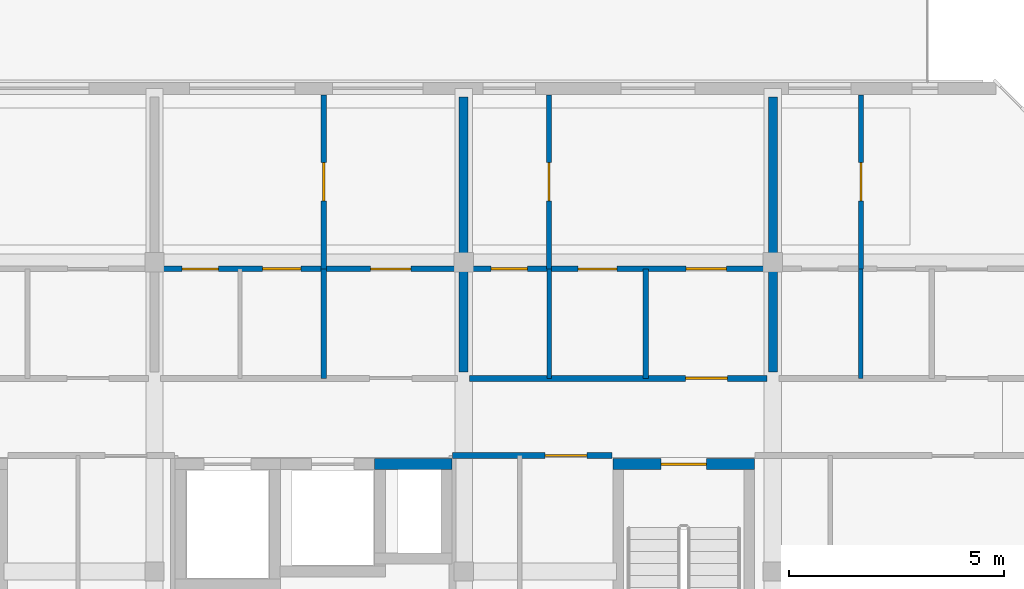
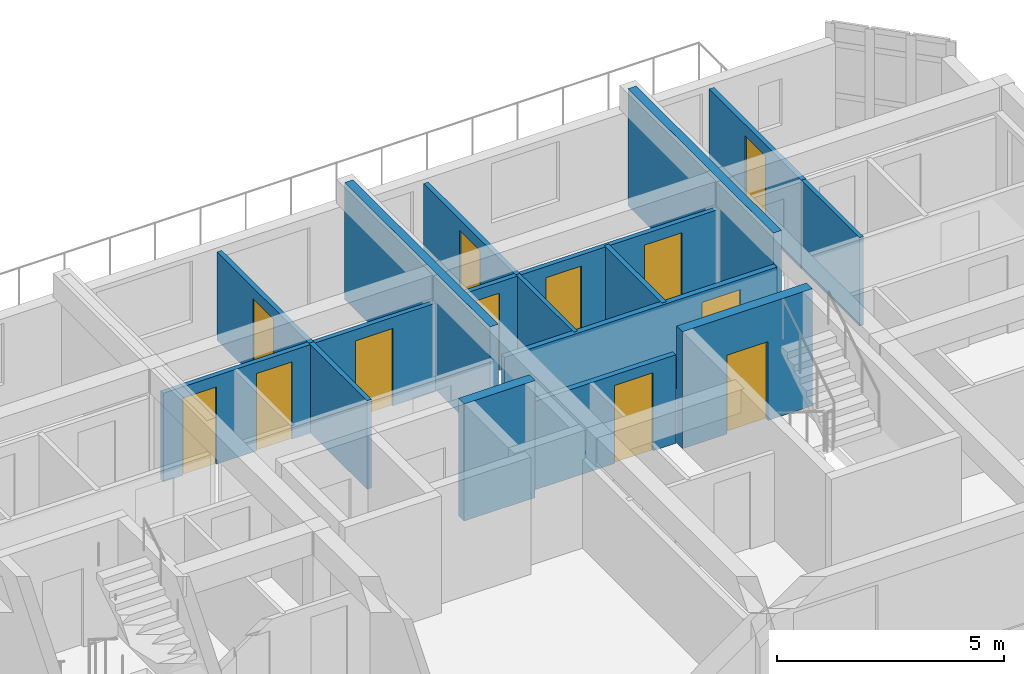
# One storey, part 12 of 16: 15 walls, 12 doors, 12 openings.
"""IFC4 building model written with IfcOpenShell, lengths in metres."""

from ifc_helpers import new_model, si_unit, direction, frame, frame_2d, origin, place, context, subcontext, project, spatial, rectangle, extrude, material, layer, layer_set, type_object, element, fill, save


model = new_model("IFC4")

# Units and contexts
model_context = context("Model", 3, precision=1e-05, world=origin(), true_north=direction((0.0, 1.0)))
body_context = subcontext(model_context, "Body", "Model", "MODEL_VIEW")
ifc_project = project(units=[si_unit("LENGTHUNIT", "METRE"), si_unit("AREAUNIT", "SQUARE_METRE"), si_unit("VOLUMEUNIT", "CUBIC_METRE"), si_unit("PLANEANGLEUNIT", "RADIAN"), si_unit("MASSUNIT", "GRAM", prefix="KILO")], contexts=[model_context])

# Site, building, storey
site_placement = place(None, origin())
site = spatial("IfcSite", under=ifc_project, at=site_placement, CompositionType="ELEMENT")
building_placement = place(site_placement, origin())
building = spatial("IfcBuilding", under=site, at=building_placement, Name="Ochrevale Crest", CompositionType="ELEMENT")
storey_placement = place(building_placement, frame((0.0, 0.0, 46.5)))
storey = spatial("IfcBuildingStorey", under=building, at=storey_placement, Name="L14", CompositionType="ELEMENT", Elevation=46.5)

# Wall, opening, door
ifc_material_1 = material(Name="Gypsum plasterboard", Category="gypsum")
ifc_layer_1 = layer(ifc_material_1, 0.139892578125)
ifc_layer_set_1 = layer_set([ifc_layer_1], Name="Gypsum plasterboard")
wall_type_1 = type_object("IfcWallType", Name="WL-COR-140", PredefinedType="PARTITIONING", material=ifc_layer_set_1)
wall_1_placement = place(storey_placement, frame((151.340087890625, 83.699951171875, 0.0), z_axis=(0.0, 0.0, 1.0), x_axis=(1.0, 0.0, 0.0)))
wall_1 = element("IfcWall", 1, at=wall_1_placement, inside=storey, type_object=wall_type_1, Name="Apartment D-L14-U4 corridor wall", PredefinedType="PARTITIONING", context=body_context, shape_type="SweptSolid", body=[
    extrude(rectangle(XDim=6.919921875, YDim=0.139892578125, at=frame_2d((3.4599609375, 0.0))), origin(), (0.0, 0.0, 1.0), 2.3798828125),
])
opening_1_placement = place(wall_1_placement, frame((5.02001953125, 0.0, 0.0)))
opening_1 = element("IfcOpeningElement", 2, at=opening_1_placement, cuts=wall_1, Name="Opening FD01", PredefinedType="OPENING", context=body_context, shape_type="SweptSolid", body=[
    extrude(rectangle(XDim=0.97998046875, YDim=2.10009765625, at=frame_2d((0.489990234375, 1.050048828125))), frame((0.0, 0.080078125, 0.0), z_axis=(0.0, -1.0, 0.0), x_axis=(1.0, 0.0, 0.0)), (0.0, 0.0, 1.0), 0.159912109375),
])
ifc_material_2 = material(Name="Solid-core FSC hardwood", Category="wood")
door_type_1 = type_object("IfcDoorType", Name="DR-APT-950", OperationType="NOTDEFINED", PredefinedType="DOOR", material=ifc_material_2)
door_1_placement = place(opening_1_placement, origin())
door_1 = element("IfcDoor", 3, at=door_1_placement, inside=storey, type_object=door_type_1, Name="Apartment D-L14-U4 entrance door", OperationType="SINGLE_SWING_LEFT", OverallHeight=2.10009765625, OverallWidth=0.97998046875, PredefinedType="DOOR", context=body_context, shape_type="SweptSolid", body=[
    extrude(rectangle(XDim=0.97998046875, YDim=2.10009765625, at=frame_2d((0.489990234375, 1.050048828125))), frame((0.0, 0.02490234375, 0.0), z_axis=(0.0, -1.0, 0.0), x_axis=(1.0, 0.0, 0.0)), (0.0, 0.0, 1.0), 0.050048828125),
])
fill(opening_1, door_1)

wall_2_placement = place(storey_placement, frame((150.93994140625, 81.89990234375, 0.0), z_axis=(0.0, 0.0, 1.0), x_axis=(1.0, 0.0, 0.0)))
wall_2 = element("IfcWall", 4, at=wall_2_placement, inside=storey, type_object=wall_type_1, Name="Suite D-L14-ME corridor wall", PredefinedType="PARTITIONING", context=body_context, shape_type="SweptSolid", body=[
    extrude(rectangle(XDim=3.719970703125, YDim=0.139892578125, at=frame_2d((1.85986328125, 0.0))), origin(), (0.0, 0.0, 1.0), 2.3798828125),
])
opening_2_placement = place(wall_2_placement, frame((2.151123046875, 0.0, 0.0)))
opening_2 = element("IfcOpeningElement", 5, at=opening_2_placement, cuts=wall_2, Name="Opening FD01", PredefinedType="OPENING", context=body_context, shape_type="SweptSolid", body=[
    extrude(rectangle(XDim=0.97998046875, YDim=2.10009765625, at=frame_2d((0.489990234375, 1.050048828125))), frame((0.0, 0.080078125, 0.0), z_axis=(0.0, -1.0, 0.0), x_axis=(1.0, 0.0, 0.0)), (0.0, 0.0, 1.0), 0.159912109375),
])
door_2_placement = place(opening_2_placement, origin())
door_2 = element("IfcDoor", 6, at=door_2_placement, inside=storey, type_object=door_type_1, Name="Suite D-L14-ME entrance door", OperationType="SINGLE_SWING_LEFT", OverallHeight=2.10009765625, OverallWidth=0.97998046875, PredefinedType="DOOR", context=body_context, shape_type="SweptSolid", body=[
    extrude(rectangle(XDim=0.97998046875, YDim=2.10009765625, at=frame_2d((0.489990234375, 1.050048828125))), frame((0.0, 0.02490234375, 0.0), z_axis=(0.0, -1.0, 0.0), x_axis=(1.0, 0.0, 0.0)), (0.0, 0.0, 1.0), 0.050048828125),
])
fill(opening_2, door_2)

ifc_material_3 = material(Name="Precast concrete C50/60", Category="concrete")
ifc_layer_2 = layer(ifc_material_3, 0.2548828125)
ifc_layer_set_2 = layer_set([ifc_layer_2], Name="Precast concrete C50/60")
wall_type_2 = type_object("IfcWallType", Name="WL-CORE-255", PredefinedType="SHEAR", material=ifc_layer_set_2)
wall_3_placement = place(storey_placement, frame((154.672607421875, 81.699951171875, 0.0), z_axis=(0.0, 0.0, 1.0), x_axis=(1.0, 0.0, 0.0)))
wall_3 = element("IfcWall", 7, at=wall_3_placement, inside=storey, type_object=wall_type_2, Name="Block D L14 Stair 2 precast core shear wall N", PredefinedType="SHEAR", context=body_context, shape_type="SweptSolid", body=[
    extrude(rectangle(XDim=3.304931640625, YDim=0.2548828125, at=frame_2d((1.65234375, 0.0))), origin(), (0.0, 0.0, 1.0), 3.14990234375),
])
opening_3_placement = place(wall_3_placement, frame((1.12744140625, 0.0, 0.0)))
opening_3 = element("IfcOpeningElement", 8, at=opening_3_placement, cuts=wall_3, Name="Opening FD03", PredefinedType="OPENING", context=body_context, shape_type="SweptSolid", body=[
    extrude(rectangle(XDim=1.050048828125, YDim=2.1201171875, at=frame_2d((0.52490234375, 1.06005859375))), frame((0.0, 0.137451171875, 0.0), z_axis=(0.0, -1.0, 0.0), x_axis=(1.0, 0.0, 0.0)), (0.0, 0.0, 1.0), 0.27490234375),
])
door_type_2 = type_object("IfcDoorType", Name="DR-ST-1050", OperationType="NOTDEFINED", PredefinedType="DOOR", material=ifc_material_2)
door_3_placement = place(opening_3_placement, origin())
door_3 = element("IfcDoor", 9, at=door_3_placement, inside=storey, type_object=door_type_2, Name="Block D L14 fire stair 2 door", OperationType="SINGLE_SWING_LEFT", OverallHeight=2.1201171875, OverallWidth=1.050048828125, PredefinedType="DOOR", context=body_context, shape_type="SweptSolid", body=[
    extrude(rectangle(XDim=1.050048828125, YDim=2.1201171875, at=frame_2d((0.52490234375, 1.06005859375))), frame((0.0, 0.02490234375, 0.0), z_axis=(0.0, -1.0, 0.0), x_axis=(1.0, 0.0, 0.0)), (0.0, 0.0, 1.0), 0.050048828125),
])
fill(opening_3, door_3)

# Walls
wall_4_placement = place(storey_placement, frame((149.12255859375, 81.699951171875, 0.0), z_axis=(0.0, 0.0, 1.0), x_axis=(1.0, 0.0, 0.0)))
element("IfcWall", 10, at=wall_4_placement, inside=storey, type_object=wall_type_2, Name="Block D L14 services riser shaft core wall N", PredefinedType="SHEAR", context=body_context, shape_type="SweptSolid", body=[
    extrude(rectangle(XDim=1.804931640625, YDim=0.2548828125, at=frame_2d((0.90234375, 0.0))), origin(), (0.0, 0.0, 1.0), 3.14990234375),
])
ifc_layer_3 = layer(ifc_material_1, 0.1201171875)
ifc_layer_set_3 = layer_set([ifc_layer_3], Name="Gypsum plasterboard")
wall_type_3 = type_object("IfcWallType", Name="WL-PART-120", PredefinedType="PARTITIONING", material=ifc_layer_set_3)
wall_5_placement = place(storey_placement, frame((147.93994140625, 83.699951171875, 0.0), z_axis=(0.0, 0.0, 1.0), x_axis=(0.0, 1.0, 0.0)))
element("IfcWall", 11, at=wall_5_placement, inside=storey, type_object=wall_type_3, Name="Apartment D-L14-U3 kitchen-foyer wall", PredefinedType="PARTITIONING", context=body_context, shape_type="SweptSolid", body=[
    extrude(rectangle(XDim=2.550048828125, YDim=0.1201171875, at=frame_2d((1.27490234375, 0.0))), origin(), (0.0, 0.0, 1.0), 2.3798828125),
])

# Wall, openings, doors
wall_6_placement = place(storey_placement, frame((144.139892578125, 86.25, 0.0), z_axis=(0.0, 0.0, 1.0), x_axis=(1.0, 0.0, 0.0)))
wall_6 = element("IfcWall", 12, at=wall_6_placement, inside=storey, type_object=wall_type_3, Name="Apartment D-L14-U3 central partition", PredefinedType="PARTITIONING", context=body_context, shape_type="SweptSolid", body=[
    extrude(rectangle(XDim=6.920166015625, YDim=0.1201171875, at=frame_2d((3.4599609375, 0.0))), origin(), (0.0, 0.0, 1.0), 2.3798828125),
])
opening_4_placement = place(wall_6_placement, frame((0.5, 0.0, 0.0)))
opening_4 = element("IfcOpeningElement", 13, at=opening_4_placement, cuts=wall_6, Name="Opening ID01", PredefinedType="OPENING", context=body_context, shape_type="SweptSolid", body=[
    extrude(rectangle(XDim=0.85009765625, YDim=2.080078125, at=frame_2d((0.425048828125, 1.0400390625))), frame((0.0, 0.070068359375, 0.0), z_axis=(0.0, -1.0, 0.0), x_axis=(1.0, 0.0, 0.0)), (0.0, 0.0, 1.0), 0.14013671875),
])
opening_5_placement = place(wall_6_placement, frame((3.27490234375, 0.0, 0.0), z_axis=(0.0, 0.0, 1.0), x_axis=(-1.0, 0.0, 0.0)))
opening_5 = element("IfcOpeningElement", 14, at=opening_5_placement, cuts=wall_6, Name="Opening ID02", PredefinedType="OPENING", context=body_context, shape_type="SweptSolid", body=[
    extrude(rectangle(XDim=0.89990234375, YDim=2.080078125, at=frame_2d((0.449951171875, 1.0400390625))), frame((0.0, 0.070068359375, 0.0), z_axis=(0.0, -1.0, 0.0), x_axis=(1.0, 0.0, 0.0)), (0.0, 0.0, 1.0), 0.14013671875),
])
opening_6_placement = place(wall_6_placement, frame((4.885009765625, 0.0, 0.0)))
opening_6 = element("IfcOpeningElement", 15, at=opening_6_placement, cuts=wall_6, Name="Opening ID06", PredefinedType="OPENING", context=body_context, shape_type="SweptSolid", body=[
    extrude(rectangle(XDim=0.949951171875, YDim=2.080078125, at=frame_2d((0.47509765625, 1.0400390625))), frame((0.0, 0.070068359375, 0.0), z_axis=(0.0, -1.0, 0.0), x_axis=(1.0, 0.0, 0.0)), (0.0, 0.0, 1.0), 0.14013671875),
])
door_type_3 = type_object("IfcDoorType", Name="DR-INT-900", OperationType="NOTDEFINED", PredefinedType="DOOR", material=ifc_material_2)
door_4_placement = place(opening_5_placement, origin())
door_4 = element("IfcDoor", 16, at=door_4_placement, inside=storey, type_object=door_type_3, Name="Apartment D-L14-U3 Kitchen door", OperationType="SINGLE_SWING_RIGHT", OverallHeight=2.080078125, OverallWidth=0.89990234375, PredefinedType="DOOR", context=body_context, shape_type="SweptSolid", body=[
    extrude(rectangle(XDim=0.89990234375, YDim=2.080078125, at=frame_2d((0.449951171875, 1.0400390625))), frame((0.0, 0.02490234375, 0.0), z_axis=(0.0, -1.0, 0.0), x_axis=(1.0, 0.0, 0.0)), (0.0, 0.0, 1.0), 0.050048828125),
])
fill(opening_5, door_4)
door_type_4 = type_object("IfcDoorType", Name="DR-INT-950", OperationType="NOTDEFINED", PredefinedType="DOOR", material=ifc_material_2)
door_5_placement = place(opening_6_placement, origin())
door_5 = element("IfcDoor", 17, at=door_5_placement, inside=storey, type_object=door_type_4, Name="Apartment D-L14-U3 Living Foyer door", OperationType="SINGLE_SWING_LEFT", OverallHeight=2.080078125, OverallWidth=0.949951171875, PredefinedType="DOOR", context=body_context, shape_type="SweptSolid", body=[
    extrude(rectangle(XDim=0.949951171875, YDim=2.080078125, at=frame_2d((0.47509765625, 1.0400390625))), frame((0.0, 0.02490234375, 0.0), z_axis=(0.0, -1.0, 0.0), x_axis=(1.0, 0.0, 0.0)), (0.0, 0.0, 1.0), 0.050048828125),
])
fill(opening_6, door_5)
door_type_5 = type_object("IfcDoorType", Name="DR-WC-850", OperationType="NOTDEFINED", PredefinedType="DOOR", material=ifc_material_2)
door_6_placement = place(opening_4_placement, origin())
door_6 = element("IfcDoor", 18, at=door_6_placement, inside=storey, type_object=door_type_5, Name="Apartment D-L14-U3 Bathroom door", OperationType="SINGLE_SWING_LEFT", OverallHeight=2.080078125, OverallWidth=0.85009765625, PredefinedType="DOOR", context=body_context, shape_type="SweptSolid", body=[
    extrude(rectangle(XDim=0.85009765625, YDim=2.080078125, at=frame_2d((0.425048828125, 1.0400390625))), frame((0.0, 0.02490234375, 0.0), z_axis=(0.0, -1.0, 0.0), x_axis=(1.0, 0.0, 0.0)), (0.0, 0.0, 1.0), 0.050048828125),
])
fill(opening_4, door_6)

# Wall, opening, door
wall_7_placement = place(storey_placement, frame((147.93994140625, 86.25, 0.0), z_axis=(0.0, 0.0, 1.0), x_axis=(0.0, 1.0, 0.0)))
wall_7 = element("IfcWall", 19, at=wall_7_placement, inside=storey, type_object=wall_type_3, Name="Apartment D-L14-U3 bedroom partition", PredefinedType="PARTITIONING", context=body_context, shape_type="SweptSolid", body=[
    extrude(rectangle(XDim=4.050048828125, YDim=0.1201171875, at=frame_2d((2.02490234375, 0.0))), origin(), (0.0, 0.0, 1.0), 2.3798828125),
])
opening_7_placement = place(wall_7_placement, frame((2.474853515625, 0.0, 0.0), z_axis=(0.0, 0.0, 1.0), x_axis=(-1.0, 0.0, 0.0)))
opening_7 = element("IfcOpeningElement", 20, at=opening_7_placement, cuts=wall_7, Name="Opening ID02", PredefinedType="OPENING", context=body_context, shape_type="SweptSolid", body=[
    extrude(rectangle(XDim=0.89990234375, YDim=2.080078125, at=frame_2d((0.449951171875, 1.0400390625))), frame((0.0, 0.070068359375, 0.0), z_axis=(0.0, -1.0, 0.0), x_axis=(1.0, 0.0, 0.0)), (0.0, 0.0, 1.0), 0.14013671875),
])
door_7_placement = place(opening_7_placement, origin())
door_7 = element("IfcDoor", 21, at=door_7_placement, inside=storey, type_object=door_type_3, Name="Apartment D-L14-U3 Double Bedroom door", OperationType="SINGLE_SWING_RIGHT", OverallHeight=2.080078125, OverallWidth=0.89990234375, PredefinedType="DOOR", context=body_context, shape_type="SweptSolid", body=[
    extrude(rectangle(XDim=0.89990234375, YDim=2.080078125, at=frame_2d((0.449951171875, 1.0400390625))), frame((0.0, 0.02490234375, 0.0), z_axis=(0.0, -1.0, 0.0), x_axis=(1.0, 0.0, 0.0)), (0.0, 0.0, 1.0), 0.050048828125),
])
fill(opening_7, door_7)

# Wall
wall_8_placement = place(storey_placement, frame((155.43994140625, 83.699951171875, 0.0), z_axis=(0.0, 0.0, 1.0), x_axis=(0.0, 1.0, 0.0)))
element("IfcWall", 22, at=wall_8_placement, inside=storey, type_object=wall_type_3, Name="Apartment D-L14-U4 kitchen-foyer wall", PredefinedType="PARTITIONING", context=body_context, shape_type="SweptSolid", body=[
    extrude(rectangle(XDim=2.550048828125, YDim=0.1201171875, at=frame_2d((1.27490234375, 0.0))), origin(), (0.0, 0.0, 1.0), 2.3798828125),
])

# Wall, openings, doors
wall_9_placement = place(storey_placement, frame((151.340087890625, 86.25, 0.0), z_axis=(0.0, 0.0, 1.0), x_axis=(1.0, 0.0, 0.0)))
wall_9 = element("IfcWall", 23, at=wall_9_placement, inside=storey, type_object=wall_type_3, Name="Apartment D-L14-U4 central partition", PredefinedType="PARTITIONING", context=body_context, shape_type="SweptSolid", body=[
    extrude(rectangle(XDim=6.919921875, YDim=0.1201171875, at=frame_2d((3.4599609375, 0.0))), origin(), (0.0, 0.0, 1.0), 2.3798828125),
])
opening_8_placement = place(wall_9_placement, frame((1.35009765625, 0.0, 0.0), z_axis=(0.0, 0.0, 1.0), x_axis=(-1.0, 0.0, 0.0)))
opening_8 = element("IfcOpeningElement", 24, at=opening_8_placement, cuts=wall_9, Name="Opening ID01", PredefinedType="OPENING", context=body_context, shape_type="SweptSolid", body=[
    extrude(rectangle(XDim=0.85009765625, YDim=2.080078125, at=frame_2d((0.425048828125, 1.0400390625))), frame((0.0, 0.070068359375, 0.0), z_axis=(0.0, -1.0, 0.0), x_axis=(1.0, 0.0, 0.0)), (0.0, 0.0, 1.0), 0.14013671875),
])
opening_9_placement = place(wall_9_placement, frame((2.52490234375, 0.0, 0.0)))
opening_9 = element("IfcOpeningElement", 25, at=opening_9_placement, cuts=wall_9, Name="Opening ID02", PredefinedType="OPENING", context=body_context, shape_type="SweptSolid", body=[
    extrude(rectangle(XDim=0.89990234375, YDim=2.080078125, at=frame_2d((0.449951171875, 1.0400390625))), frame((0.0, 0.070068359375, 0.0), z_axis=(0.0, -1.0, 0.0), x_axis=(1.0, 0.0, 0.0)), (0.0, 0.0, 1.0), 0.14013671875),
])
opening_10_placement = place(wall_9_placement, frame((5.98486328125, 0.0, 0.0), z_axis=(0.0, 0.0, 1.0), x_axis=(-1.0, 0.0, 0.0)))
opening_10 = element("IfcOpeningElement", 26, at=opening_10_placement, cuts=wall_9, Name="Opening ID06", PredefinedType="OPENING", context=body_context, shape_type="SweptSolid", body=[
    extrude(rectangle(XDim=0.949951171875, YDim=2.080078125, at=frame_2d((0.47509765625, 1.0400390625))), frame((0.0, 0.070068359375, 0.0), z_axis=(0.0, -1.0, 0.0), x_axis=(1.0, 0.0, 0.0)), (0.0, 0.0, 1.0), 0.14013671875),
])
door_8_placement = place(opening_9_placement, origin())
door_8 = element("IfcDoor", 27, at=door_8_placement, inside=storey, type_object=door_type_3, Name="Apartment D-L14-U4 Kitchen door", OperationType="SINGLE_SWING_LEFT", OverallHeight=2.080078125, OverallWidth=0.89990234375, PredefinedType="DOOR", context=body_context, shape_type="SweptSolid", body=[
    extrude(rectangle(XDim=0.89990234375, YDim=2.080078125, at=frame_2d((0.449951171875, 1.0400390625))), frame((0.0, 0.02490234375, 0.0), z_axis=(0.0, -1.0, 0.0), x_axis=(1.0, 0.0, 0.0)), (0.0, 0.0, 1.0), 0.050048828125),
])
fill(opening_9, door_8)
door_9_placement = place(opening_10_placement, origin())
door_9 = element("IfcDoor", 28, at=door_9_placement, inside=storey, type_object=door_type_4, Name="Apartment D-L14-U4 Living Foyer door", OperationType="SINGLE_SWING_RIGHT", OverallHeight=2.080078125, OverallWidth=0.949951171875, PredefinedType="DOOR", context=body_context, shape_type="SweptSolid", body=[
    extrude(rectangle(XDim=0.949951171875, YDim=2.080078125, at=frame_2d((0.47509765625, 1.0400390625))), frame((0.0, 0.02490234375, 0.0), z_axis=(0.0, -1.0, 0.0), x_axis=(1.0, 0.0, 0.0)), (0.0, 0.0, 1.0), 0.050048828125),
])
fill(opening_10, door_9)
door_10_placement = place(opening_8_placement, origin())
door_10 = element("IfcDoor", 29, at=door_10_placement, inside=storey, type_object=door_type_5, Name="Apartment D-L14-U4 Bathroom door", OperationType="SINGLE_SWING_RIGHT", OverallHeight=2.080078125, OverallWidth=0.85009765625, PredefinedType="DOOR", context=body_context, shape_type="SweptSolid", body=[
    extrude(rectangle(XDim=0.85009765625, YDim=2.080078125, at=frame_2d((0.425048828125, 1.0400390625))), frame((0.0, 0.02490234375, 0.0), z_axis=(0.0, -1.0, 0.0), x_axis=(1.0, 0.0, 0.0)), (0.0, 0.0, 1.0), 0.050048828125),
])
fill(opening_8, door_10)

# Wall, opening, door
wall_10_placement = place(storey_placement, frame((153.18994140625, 86.25, 0.0), z_axis=(0.0, 0.0, 1.0), x_axis=(0.0, 1.0, 0.0)))
wall_10 = element("IfcWall", 30, at=wall_10_placement, inside=storey, type_object=wall_type_3, Name="Apartment D-L14-U4 bedroom partition", PredefinedType="PARTITIONING", context=body_context, shape_type="SweptSolid", body=[
    extrude(rectangle(XDim=4.050048828125, YDim=0.1201171875, at=frame_2d((2.02490234375, 0.0))), origin(), (0.0, 0.0, 1.0), 2.3798828125),
])
opening_11_placement = place(wall_10_placement, frame((1.574951171875, 0.0, 0.0)))
opening_11 = element("IfcOpeningElement", 31, at=opening_11_placement, cuts=wall_10, Name="Opening ID02", PredefinedType="OPENING", context=body_context, shape_type="SweptSolid", body=[
    extrude(rectangle(XDim=0.89990234375, YDim=2.080078125, at=frame_2d((0.449951171875, 1.0400390625))), frame((0.0, 0.070068359375, 0.0), z_axis=(0.0, -1.0, 0.0), x_axis=(1.0, 0.0, 0.0)), (0.0, 0.0, 1.0), 0.14013671875),
])
door_11_placement = place(opening_11_placement, origin())
door_11 = element("IfcDoor", 32, at=door_11_placement, inside=storey, type_object=door_type_3, Name="Apartment D-L14-U4 Master Bedroom door", OperationType="SINGLE_SWING_LEFT", OverallHeight=2.080078125, OverallWidth=0.89990234375, PredefinedType="DOOR", context=body_context, shape_type="SweptSolid", body=[
    extrude(rectangle(XDim=0.89990234375, YDim=2.080078125, at=frame_2d((0.449951171875, 1.0400390625))), frame((0.0, 0.02490234375, 0.0), z_axis=(0.0, -1.0, 0.0), x_axis=(1.0, 0.0, 0.0)), (0.0, 0.0, 1.0), 0.050048828125),
])
fill(opening_11, door_11)

wall_11_placement = place(storey_placement, frame((160.449951171875, 86.25, 0.0), z_axis=(0.0, 0.0, 1.0), x_axis=(0.0, 1.0, 0.0)))
wall_11 = element("IfcWall", 33, at=wall_11_placement, inside=storey, type_object=wall_type_3, Name="Apartment D-L14-U5 bedroom partition", PredefinedType="PARTITIONING", context=body_context, shape_type="SweptSolid", body=[
    extrude(rectangle(XDim=4.050048828125, YDim=0.1201171875, at=frame_2d((2.02490234375, 0.0))), origin(), (0.0, 0.0, 1.0), 2.3798828125),
])
opening_12_placement = place(wall_11_placement, frame((1.574951171875, 0.0, 0.0)))
opening_12 = element("IfcOpeningElement", 34, at=opening_12_placement, cuts=wall_11, Name="Opening ID02", PredefinedType="OPENING", context=body_context, shape_type="SweptSolid", body=[
    extrude(rectangle(XDim=0.89990234375, YDim=2.080078125, at=frame_2d((0.449951171875, 1.0400390625))), frame((0.0, 0.070068359375, 0.0), z_axis=(0.0, -1.0, 0.0), x_axis=(1.0, 0.0, 0.0)), (0.0, 0.0, 1.0), 0.14013671875),
])
door_12_placement = place(opening_12_placement, origin())
door_12 = element("IfcDoor", 35, at=door_12_placement, inside=storey, type_object=door_type_3, Name="Apartment D-L14-U5 Master Bedroom door", OperationType="SINGLE_SWING_RIGHT", OverallHeight=2.080078125, OverallWidth=0.89990234375, PredefinedType="DOOR", context=body_context, shape_type="SweptSolid", body=[
    extrude(rectangle(XDim=0.89990234375, YDim=2.080078125, at=frame_2d((0.449951171875, 1.0400390625))), frame((0.0, 0.02490234375, 0.0), z_axis=(0.0, -1.0, 0.0), x_axis=(1.0, 0.0, 0.0)), (0.0, 0.0, 1.0), 0.050048828125),
])
fill(opening_12, door_12)

# Walls
ifc_material_4 = material(Name="Precast concrete C40/50", Category="concrete")
ifc_layer_4 = layer(ifc_material_4, 0.2099609375)
ifc_layer_set_4 = layer_set([ifc_layer_4], Name="Precast concrete C40/50")
wall_type_4 = type_object("IfcWallType", Name="WL-SHEAR-210", PredefinedType="SHEAR", material=ifc_layer_set_4)
for number, where, z_axis, x_axis, name in (
    (36, (151.199951171875, 83.85009765625, 0.0), (0.0, 0.0, 1.0), (0.0, 1.0, 0.0), "Block D L14 load-bearing precast cross-wall X=151.2"),
    (37, (158.39990234375, 83.85009765625, 0.0), (0.0, 0.0, 1.0), (0.0, 1.0, 0.0), "Block D L14 load-bearing precast cross-wall X=158.4"),
):
    element("IfcWall", number, at=place(storey_placement, frame(where, z_axis=z_axis, x_axis=x_axis)), inside=storey, type_object=wall_type_4, Name=name, PredefinedType="SHEAR", context=body_context, shape_type="SweptSolid", body=[
        extrude(rectangle(XDim=6.39990234375, YDim=0.2099609375, at=frame_2d((3.199951171875, 0.0))), origin(), (0.0, 0.0, 1.0), 3.14990234375),
    ])
ifc_layer_5 = layer(ifc_material_1, 0.10009765625)
ifc_layer_set_5 = layer_set([ifc_layer_5], Name="Gypsum plasterboard")
wall_type_5 = type_object("IfcWallType", Name="WL-WET-100", PredefinedType="PARTITIONING", material=ifc_layer_set_5)
for number, where, z_axis, x_axis, name in (
    (38, (153.18994140625, 83.699951171875, 0.0), (0.0, 0.0, 1.0), (0.0, 1.0, 0.0), "Apartment D-L14-U4 bath-kitchen wall"),
    (39, (160.449951171875, 83.699951171875, 0.0), (0.0, 0.0, 1.0), (0.0, 1.0, 0.0), "Apartment D-L14-U5 bath-kitchen wall"),
):
    element("IfcWall", number, at=place(storey_placement, frame(where, z_axis=z_axis, x_axis=x_axis)), inside=storey, type_object=wall_type_5, Name=name, PredefinedType="PARTITIONING", context=body_context, shape_type="SweptSolid", body=[
        extrude(rectangle(XDim=2.550048828125, YDim=0.10009765625, at=frame_2d((1.27490234375, 0.0))), origin(), (0.0, 0.0, 1.0), 2.3798828125),
    ])

save(model, "model.ifc")
